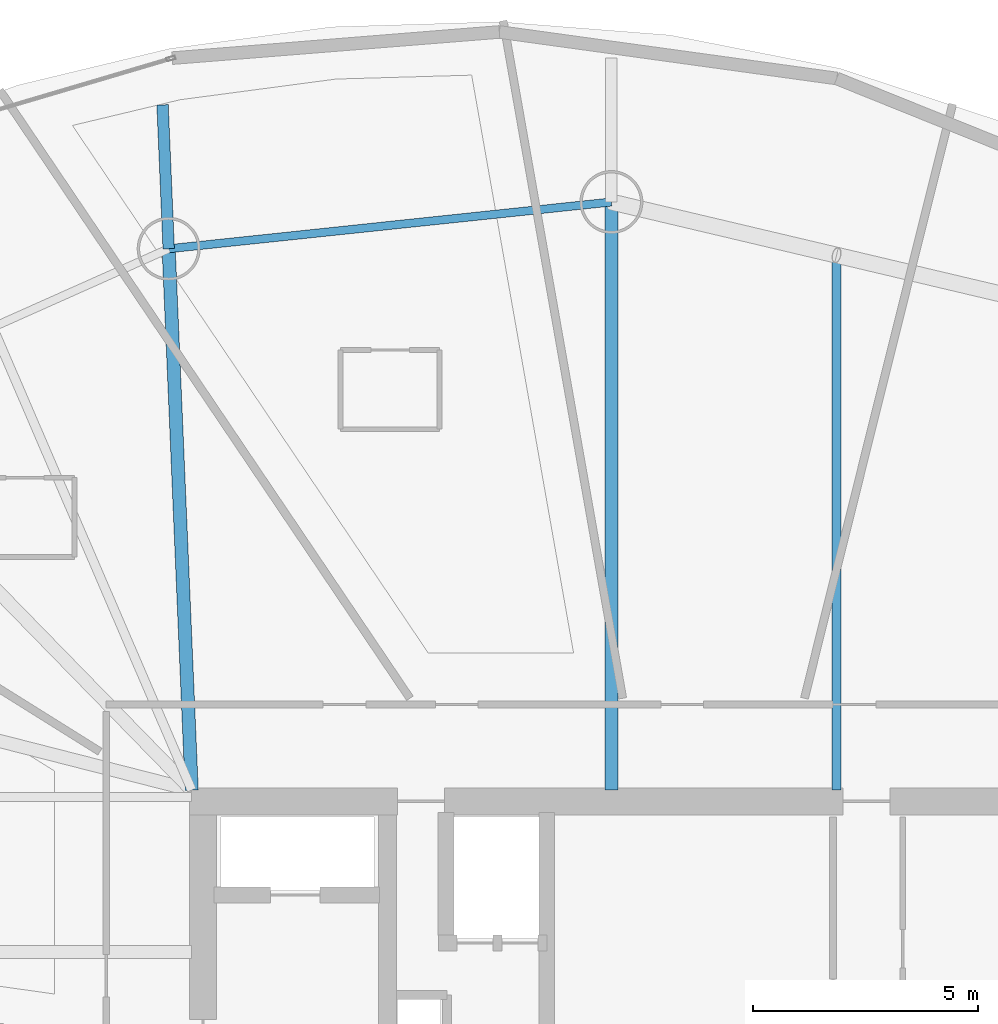
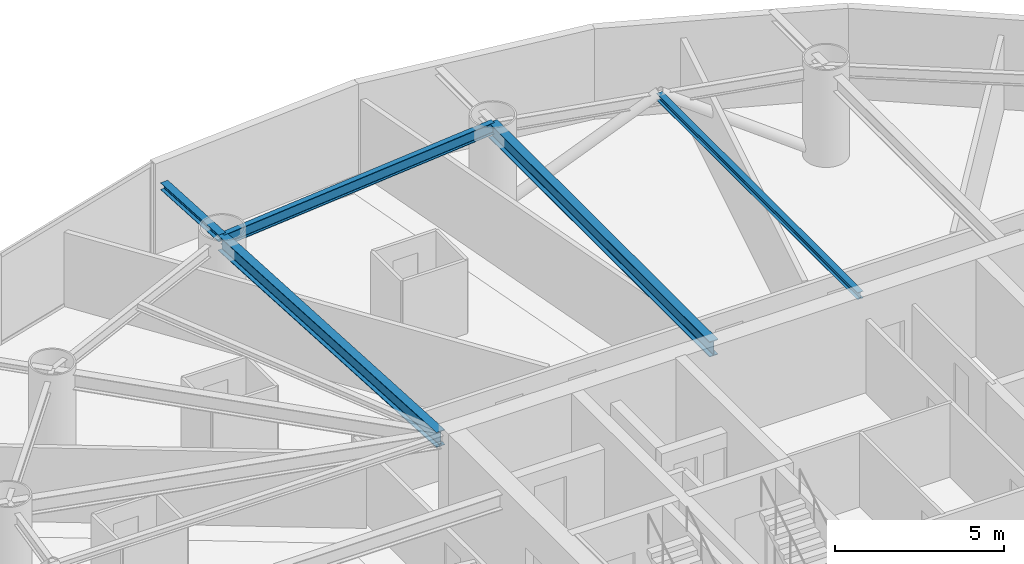
# One storey, part 12 of 24: 5 beams.
"""IFC4 building model written with IfcOpenShell, lengths in metres."""

from ifc_helpers import new_model, si_unit, direction, frame, origin, origin_2d, place, context, subcontext, project, spatial, i_section, extrude, material, material_profile, profile_set, type_object, element, save


model = new_model("IFC4")

# Units and contexts
model_context = context("Model", 3, precision=1e-05, world=origin(), true_north=direction((0.0, 1.0)))
body_context = subcontext(model_context, "Body", "Model", "MODEL_VIEW")
ifc_project = project(units=[si_unit("LENGTHUNIT", "METRE"), si_unit("AREAUNIT", "SQUARE_METRE"), si_unit("VOLUMEUNIT", "CUBIC_METRE"), si_unit("PLANEANGLEUNIT", "RADIAN"), si_unit("MASSUNIT", "GRAM", prefix="KILO")], contexts=[model_context])

# Site, building, storey
site_placement = place(None, origin())
site = spatial("IfcSite", under=ifc_project, at=site_placement, CompositionType="ELEMENT")
building_placement = place(site_placement, origin())
building = spatial("IfcBuilding", under=site, at=building_placement, Name="Bramvorn Convention Spire", CompositionType="ELEMENT")
storey_placement = place(building_placement, frame((0.0, 0.0, 148.300048828125)))
storey = spatial("IfcBuildingStorey", under=building, at=storey_placement, Name="L37", CompositionType="ELEMENT", Elevation=148.300048828125)

# Beams
ifc_material = material(Name="Steel CSA G40.21 Grade 350 (350W)", Category="steel")
ifc_material_profile_1 = material_profile(ifc_material, i_section(OverallWidth=0.201904296875, OverallDepth=0.2470703125, WebThickness=0.00732421875, FlangeThickness=0.010986328125, FilletRadius=0.011962890625, at=origin_2d()))
ifc_profile_set_1 = profile_set([ifc_material_profile_1], Name="Steel CSA G40.21 Grade 350 (350W) - W250X49")
beam_type_1 = type_object("IfcBeamType", Name="BM-W250X49", PredefinedType="JOIST", material=ifc_profile_set_1)
beam_1_placement = place(storey_placement, frame((41.079345703125, 33.449951171875, 3.136474609375), z_axis=(0.0, 1.0, 0.0), x_axis=(-1.0, 0.0, 0.0)))
element("IfcBeam", 1, at=beam_1_placement, inside=storey, type_object=beam_type_1, Name="L37 composite floor joist 05", PredefinedType="JOIST", context=body_context, shape_type="SweptSolid", body=[
    extrude(i_section(OverallWidth=0.201904296875, OverallDepth=0.2470703125, WebThickness=0.00732421875, FlangeThickness=0.010986328125, FilletRadius=0.011962890625, at=origin_2d()), origin(), (0.0, 0.0, 1.0), 11.8857421875),
])
ifc_material_profile_2 = material_profile(ifc_material, i_section(OverallWidth=0.25390625, OverallDepth=0.2529296875, WebThickness=0.008544921875, FlangeThickness=0.01416015625, FilletRadius=0.011962890625, at=origin_2d()))
ifc_profile_set_2 = profile_set([ifc_material_profile_2], Name="Steel CSA G40.21 Grade 350 (350W) - W250X73")
beam_type_2 = type_object("IfcBeamType", Name="BM-W250X73", PredefinedType="BEAM", material=ifc_profile_set_2)
beam_2_placement = place(storey_placement, frame((26.23828125, 45.478759765625, 3.133544921875), z_axis=(-0.042496892375, 0.999096599003, 0.0), x_axis=(-0.999096599003, -0.042496892375, 0.0)))
element("IfcBeam", 2, at=beam_2_placement, inside=storey, type_object=beam_type_2, Name="L37 slab-edge cantilever tip beam MC07", PredefinedType="BEAM", context=body_context, shape_type="SweptSolid", body=[
    extrude(i_section(OverallWidth=0.25390625, OverallDepth=0.2529296875, WebThickness=0.008544921875, FlangeThickness=0.01416015625, FilletRadius=0.011962890625, at=origin_2d()), origin(), (0.0, 0.0, 1.0), 3.199951171875),
])
ifc_material_profile_3 = material_profile(ifc_material, i_section(OverallWidth=0.180908203125, OverallDepth=0.4169921875, WebThickness=0.010986328125, FlangeThickness=0.018310546875, FilletRadius=0.01611328125, at=origin_2d()))
ifc_profile_set_3 = profile_set([ifc_material_profile_3], Name="Steel CSA G40.21 Grade 350 (350W) - W410X85")
beam_type_3 = type_object("IfcBeamType", Name="BM-W410X85", PredefinedType="JOIST", material=ifc_profile_set_3)
beam_3_placement = place(storey_placement, frame((36.075927734375, 46.517333984375, 3.051513671875), z_axis=(-0.994473491975, -0.104987969596, 0.0), x_axis=(0.104987969596, -0.994473491975, 0.0)))
element("IfcBeam", 3, at=beam_3_placement, inside=storey, type_object=beam_type_3, Name="L37 mega-column ring beam 06", PredefinedType="JOIST", context=body_context, shape_type="SweptSolid", body=[
    extrude(i_section(OverallWidth=0.180908203125, OverallDepth=0.4169921875, WebThickness=0.010986328125, FlangeThickness=0.018310546875, FilletRadius=0.01611328125, at=origin_2d()), origin(), (0.0, 0.0, 1.0), 9.892333984375),
])
ifc_material_profile_4 = material_profile(ifc_material, i_section(OverallWidth=0.2919921875, OverallDepth=0.551025390625, WebThickness=0.01513671875, FlangeThickness=0.0244140625, FilletRadius=0.01904296875, at=origin_2d()))
ifc_profile_set_4 = profile_set([ifc_material_profile_4], Name="Steel CSA G40.21 Grade 350 (350W) - W530X182")
beam_type_4 = type_object("IfcBeamType", Name="BM-W530X182", PredefinedType="BEAM", material=ifc_profile_set_4)
beam_4_placement = place(storey_placement, frame((36.075927734375, 33.449951171875, 2.984375), z_axis=(0.0, 1.0, 0.0), x_axis=(-1.0, 0.0, 0.0)))
element("IfcBeam", 4, at=beam_4_placement, inside=storey, type_object=beam_type_4, Name="L37 radial floor girder MC06", PredefinedType="BEAM", context=body_context, shape_type="SweptSolid", body=[
    extrude(i_section(OverallWidth=0.2919921875, OverallDepth=0.551025390625, WebThickness=0.01513671875, FlangeThickness=0.0244140625, FilletRadius=0.01904296875, at=origin_2d()), origin(), (0.0, 0.0, 1.0), 13.0673828125),
])
beam_5_placement = place(storey_placement, frame((26.75, 33.449951171875, 2.984375), z_axis=(-0.042502657955, 0.999096353745, 0.0), x_axis=(-0.999096353745, -0.042502657955, 0.0)))
element("IfcBeam", 5, at=beam_5_placement, inside=storey, type_object=beam_type_4, Name="L37 radial floor girder MC07", PredefinedType="BEAM", context=body_context, shape_type="SweptSolid", body=[
    extrude(i_section(OverallWidth=0.2919921875, OverallDepth=0.551025390625, WebThickness=0.01513671875, FlangeThickness=0.0244140625, FilletRadius=0.01904296875, at=origin_2d()), origin(), (0.0, 0.0, 1.0), 12.039794921875),
])

save(model, "model.ifc")
